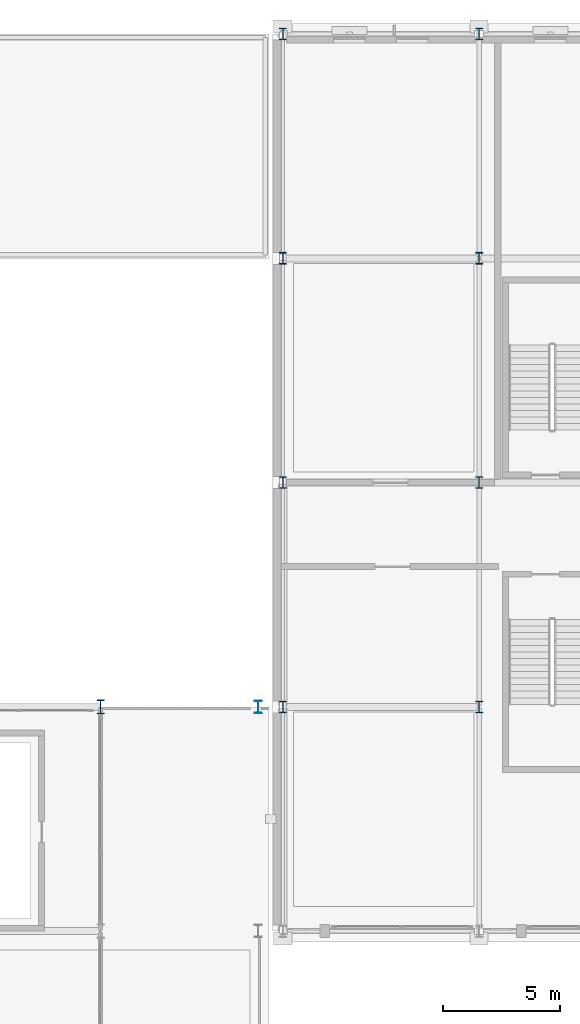
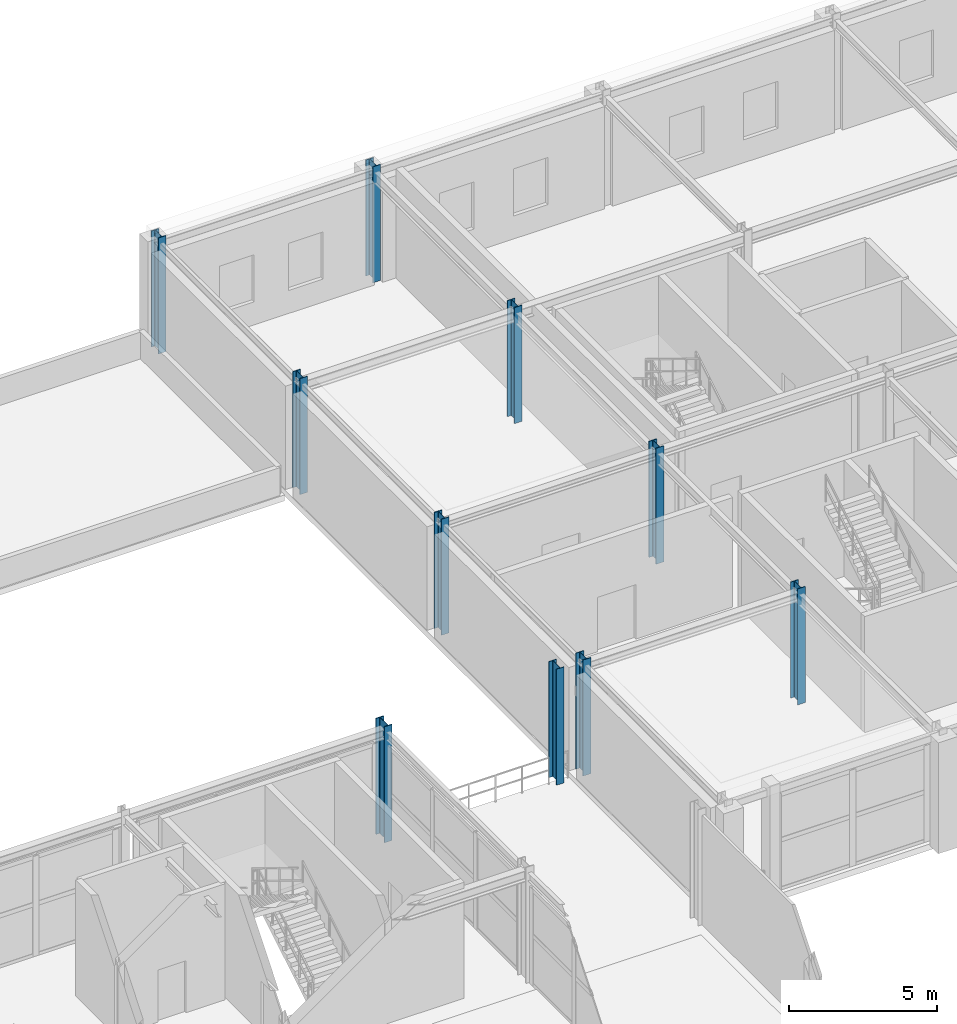
# One storey, part 16 of 125: 10 columns.
"""IFC4 building model written with IfcOpenShell, lengths in metres."""

from ifc_helpers import new_model, si_unit, direction, frame, origin, origin_2d, place, context, subcontext, project, spatial, i_section, extrude, material, material_profile, profile_set, type_object, element, save


model = new_model("IFC4")

# Units and contexts
model_context = context("Model", 3, precision=1e-05, world=origin(), true_north=direction((0.0, 1.0)))
body_context = subcontext(model_context, "Body", "Model", "MODEL_VIEW")
ifc_project = project(units=[si_unit("LENGTHUNIT", "METRE"), si_unit("AREAUNIT", "SQUARE_METRE"), si_unit("VOLUMEUNIT", "CUBIC_METRE"), si_unit("PLANEANGLEUNIT", "RADIAN"), si_unit("MASSUNIT", "GRAM", prefix="KILO")], contexts=[model_context])

# Site, building, storey
site_placement = place(None, origin())
site = spatial("IfcSite", under=ifc_project, at=site_placement, CompositionType="ELEMENT")
building_placement = place(site_placement, origin())
building = spatial("IfcBuilding", under=site, at=building_placement, Name="Myrtia Square Station", CompositionType="ELEMENT")
storey_placement = place(building_placement, frame((0.0, 0.0, 6.0)))
storey = spatial("IfcBuildingStorey", under=building, at=storey_placement, Name="L01", CompositionType="ELEMENT", Elevation=6.0)

# Columns
ifc_material = material(Name="Steel S355", Category="steel")
ifc_material_profile_1 = material_profile(ifc_material, i_section(OverallWidth=0.300048828125, OverallDepth=0.5400390625, WebThickness=0.012451171875, FlangeThickness=0.02392578125, FilletRadius=0.027099609375, at=origin_2d()), Name="HEA 550")
ifc_profile_set_1 = profile_set([ifc_material_profile_1], Name="Steel S355")
column_type_1 = type_object("IfcColumnType", Name="COL-HEA550", PredefinedType="COLUMN", material=ifc_profile_set_1)
column_1_placement = place(storey_placement, frame((116.550048828125, 96.0, 0.0), z_axis=(0.0, 0.0, 1.0), x_axis=(1.0, 0.0, 0.0)))
element("IfcColumn", 1, at=column_1_placement, inside=storey, type_object=column_type_1, Name="Column L01-0402", PredefinedType="COLUMN", context=body_context, shape_type="SweptSolid", body=[
    extrude(i_section(OverallWidth=0.300048828125, OverallDepth=0.5400390625, WebThickness=0.012451171875, FlangeThickness=0.02392578125, FilletRadius=0.027099609375, at=origin_2d()), origin(), (0.0, 0.0, 1.0), 4.800048828125),
])
ifc_material_profile_2 = material_profile(ifc_material, i_section(OverallWidth=0.300048828125, OverallDepth=0.5, WebThickness=0.014404296875, FlangeThickness=0.028076171875, FilletRadius=0.027099609375, at=origin_2d()), Name="HEB 500")
ifc_profile_set_2 = profile_set([ifc_material_profile_2], Name="Steel S355")
column_type_2 = type_object("IfcColumnType", Name="COL-HEB500", PredefinedType="COLUMN", material=ifc_profile_set_2)
for number, where, z_axis, x_axis, name in (
    (2, (117.60009765625, 96.0, 0.0), (0.0, 0.0, 1.0), (1.0, 0.0, 0.0), "Column L01-0765"),
    (3, (117.60009765625, 105.60009765625, 0.0), (0.0, 0.0, 1.0), (1.0, 0.0, 0.0), "Column L01-0769"),
    (4, (117.60009765625, 115.199951171875, 0.0), (0.0, 0.0, 1.0), (1.0, 0.0, 0.0), "Column L01-0773"),
    (5, (117.60009765625, 124.800048828125, 0.0), (0.0, 0.0, 1.0), (1.0, 0.0, 0.0), "Column L01-0777"),
    (6, (126.0, 96.0, 0.0), (0.0, 0.0, 1.0), (1.0, 0.0, 0.0), "Column L01-0787"),
    (7, (126.0, 105.60009765625, 0.0), (0.0, 0.0, 1.0), (1.0, 0.0, 0.0), "Column L01-0793"),
    (8, (126.0, 115.199951171875, 0.0), (0.0, 0.0, 1.0), (1.0, 0.0, 0.0), "Column L01-0799"),
    (9, (126.0, 124.800048828125, 0.0), (0.0, 0.0, 1.0), (1.0, 0.0, 0.0), "Column L01-0805"),
):
    element("IfcColumn", number, at=place(storey_placement, frame(where, z_axis=z_axis, x_axis=x_axis)), inside=storey, type_object=column_type_2, Name=name, PredefinedType="COLUMN", context=body_context, shape_type="SweptSolid", body=[
        extrude(i_section(OverallWidth=0.300048828125, OverallDepth=0.5, WebThickness=0.014404296875, FlangeThickness=0.028076171875, FilletRadius=0.027099609375, at=origin_2d()), origin(), (0.0, 0.0, 1.0), 4.800048828125),
    ])
ifc_material_profile_3 = material_profile(ifc_material, i_section(OverallWidth=0.300048828125, OverallDepth=0.60009765625, WebThickness=0.015380859375, FlangeThickness=0.030029296875, FilletRadius=0.027099609375, at=origin_2d()), Name="HEB 600")
ifc_profile_set_3 = profile_set([ifc_material_profile_3], Name="Steel S355")
column_type_3 = type_object("IfcColumnType", Name="COL-HEB600", PredefinedType="COLUMN", material=ifc_profile_set_3)
column_2_placement = place(storey_placement, frame((109.800048828125, 96.0, 0.0), z_axis=(0.0, 0.0, 1.0), x_axis=(1.0, 0.0, 0.0)))
element("IfcColumn", 10, at=column_2_placement, inside=storey, type_object=column_type_3, Name="Column L01-0413", PredefinedType="COLUMN", context=body_context, shape_type="SweptSolid", body=[
    extrude(i_section(OverallWidth=0.300048828125, OverallDepth=0.60009765625, WebThickness=0.015380859375, FlangeThickness=0.030029296875, FilletRadius=0.027099609375, at=origin_2d()), origin(), (0.0, 0.0, 1.0), 4.800048828125),
])

save(model, "model.ifc")
